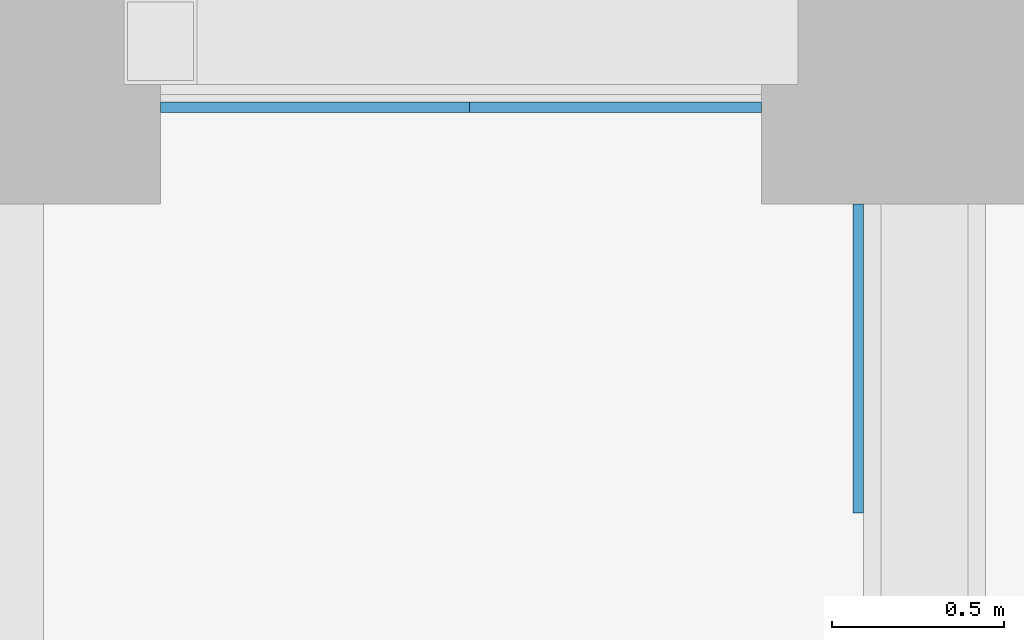
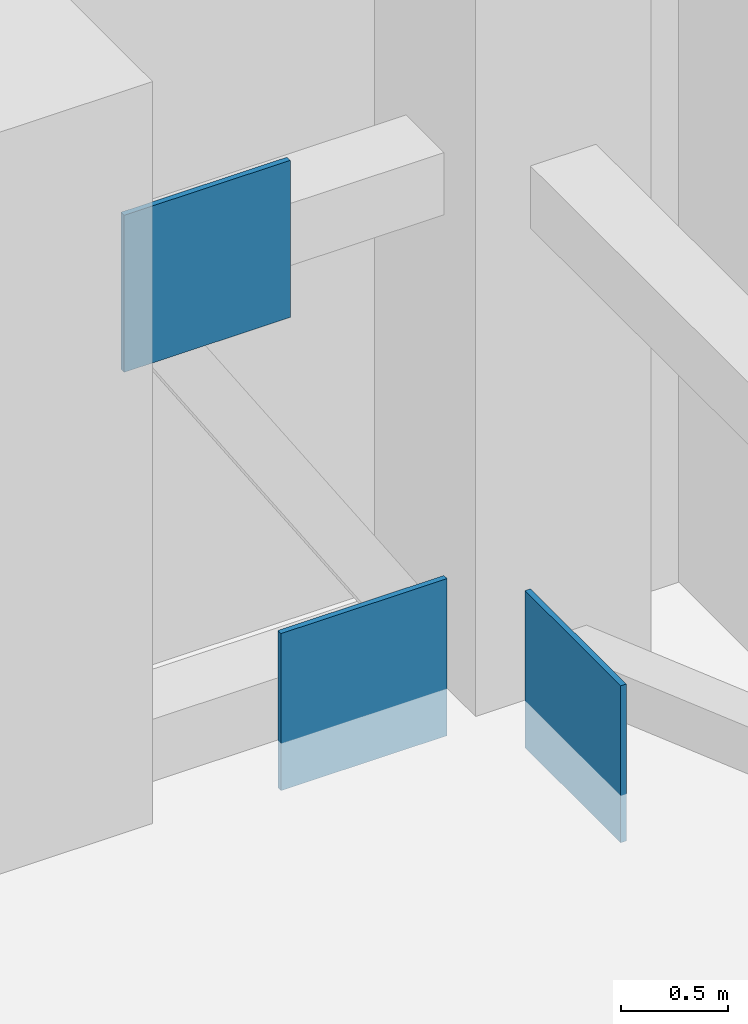
# One storey, part 6 of 8: 3 discrete accessories.
"""IFC4 building model written with IfcOpenShell, lengths in metres."""

import ifcopenshell
import ifcopenshell.guid

model = None  # the IFC model being written
_history = None  # IfcOwnerHistory: only IFC2X3 demands one
_inside = {}  # id of a spatial element -> (the spatial element, [elements in it])
_under = {}  # id of a project, library or spatial element -> (it, [spatial elements below it])
_declared = {}  # id of a project -> (the project, [libraries it declares])
_typed = {}  # id of a type object -> (the type object, [elements of that type])
_made_of = {}  # id of a material, layer set ... -> (it, [elements and type objects made of it])


def new_model(schema):
    """Start an empty IFC model of exactly this schema.

    Asked for "IFC4X3", IfcOpenShell would pick the latest addendum, in which some entities
    have other attributes; the version numbers below select the first issue.
    IFC2X3 requires an IfcOwnerHistory on every rooted entity: one is made here for all.
    """
    global model, _history
    if schema == "IFC4X3":
        model = ifcopenshell.file(schema_version=(4, 3, 0, 0))
    else:
        model = ifcopenshell.file(schema=schema)
    _inside.clear()
    _under.clear()
    _declared.clear()
    _typed.clear()
    _made_of.clear()
    _history = None
    if model.schema == "IFC2X3":
        org = make("IfcOrganization", Name="unknown")
        user = make(
            "IfcPersonAndOrganization",
            ThePerson=make("IfcPerson", FamilyName="unknown"),
            TheOrganization=org,
        )
        app = make(
            "IfcApplication",
            ApplicationDeveloper=org,
            Version="unknown",
            ApplicationFullName="unknown",
            ApplicationIdentifier="unknown",
        )
        _history = make(
            "IfcOwnerHistory",
            OwningUser=user,
            OwningApplication=app,
            ChangeAction="ADDED",
            CreationDate=0,
        )
    return model


def make(cls, **values):
    """One entity of the class cls with the attributes given. An attribute that is None is left unset."""
    return model.create_entity(
        cls, **{name: value for name, value in values.items() if value is not None}
    )


def rooted(cls, **values):
    """An entity with a GlobalId (a new one), such as an element, a storey or a relation."""
    return make(cls, GlobalId=ifcopenshell.guid.new(), OwnerHistory=_history, **values)


def si_unit(unit_type, name, prefix=None):
    """IfcSIUnit, for example si_unit("LENGTHUNIT", "METRE", prefix="MILLI")."""
    return make("IfcSIUnit", UnitType=unit_type, Prefix=prefix, Name=name)


def assignment(units):
    """IfcUnitAssignment: the units of a project."""
    return None if units is None else make("IfcUnitAssignment", Units=units)


def point(xyz):
    """IfcCartesianPoint."""
    return None if xyz is None else make("IfcCartesianPoint", Coordinates=xyz)


def direction(xyz):
    """IfcDirection."""
    return None if xyz is None else make("IfcDirection", DirectionRatios=xyz)


def frame(location, z_axis=None, x_axis=None):
    """IfcAxis2Placement3D, a coordinate frame: its origin and axes. An axis left out is left unset."""
    return make(
        "IfcAxis2Placement3D",
        Location=point(location),
        Axis=direction(z_axis),
        RefDirection=direction(x_axis),
    )


def frame_2d(location, x_axis=None):
    """IfcAxis2Placement2D, a coordinate frame in the plane: its origin and x axis."""
    return make(
        "IfcAxis2Placement2D", Location=point(location), RefDirection=direction(x_axis)
    )


def origin():
    """The frame at (0, 0, 0) with its axes left unset."""
    return frame((0.0, 0.0, 0.0))


def origin_2d():
    """The frame at (0, 0) in the plane with its x axis left unset."""
    return frame_2d((0.0, 0.0))


def place(relative_to, where):
    """IfcLocalPlacement: puts the frame where relative to a parent placement (None: the world)."""
    return make(
        "IfcLocalPlacement", PlacementRelTo=relative_to, RelativePlacement=where
    )


def context(
    kind, dimensions, precision=None, world=None, true_north=None, identifier=None
):
    """IfcGeometricRepresentationContext, for example the 3D "Model" context."""
    return make(
        "IfcGeometricRepresentationContext",
        ContextIdentifier=identifier,
        ContextType=kind,
        CoordinateSpaceDimension=dimensions,
        Precision=precision,
        WorldCoordinateSystem=world,
        TrueNorth=true_north,
    )


def subcontext(parent, identifier, kind, view, scale=None):
    """IfcGeometricRepresentationSubContext, for example "Body" below "Model"."""
    return make(
        "IfcGeometricRepresentationSubContext",
        ContextIdentifier=identifier,
        ContextType=kind,
        ParentContext=parent,
        TargetScale=scale,
        TargetView=view,
    )


def project(units=None, contexts=None):
    """IfcProject with its units and contexts."""
    return rooted(
        "IfcProject",
        Name="project",
        RepresentationContexts=contexts,
        UnitsInContext=assignment(units),
    )


def spatial(cls, under=None, at=None, **own):
    """A site, building, storey or space (cls), placed at a placement, below another one or the project."""
    s = rooted(cls, ObjectPlacement=at, **own)
    if under is not None:
        _under.setdefault(under.id(), (under, []))[1].append(s)
    return s


def profile(cls, at=None, kind="AREA", **sizes):
    """A parametric profile (cls). Its sizes go by their IFC names, for example OverallWidth=200.0."""
    return make(cls, ProfileType=kind, Position=at, **sizes)


def rectangle(**sizes):
    """IfcRectangleProfileDef."""
    return profile("IfcRectangleProfileDef", **sizes)


def extrude(swept, where, along, depth):
    """IfcExtrudedAreaSolid: the profile swept, set in the frame where, extruded along a direction by depth."""
    return make(
        "IfcExtrudedAreaSolid",
        SweptArea=swept,
        Position=where,
        ExtrudedDirection=direction(along),
        Depth=depth,
    )


def shape(context_of_items, identifier, shape_type, items):
    """IfcShapeRepresentation: the items that make up one representation, for example the "Body"."""
    return make(
        "IfcShapeRepresentation",
        ContextOfItems=context_of_items,
        RepresentationIdentifier=identifier,
        RepresentationType=shape_type,
        Items=items,
    )


def material(Name=None, Category=None):
    """IfcMaterial."""
    return make("IfcMaterial", Name=Name, Category=Category)


def made_of(thing, what):
    """Note that an element or type object is made of a material, layer set ...; save() writes the relation."""
    if what is not None:
        _made_of.setdefault(what.id(), (what, []))[1].append(thing)
    return thing


def type_object(cls, material=None, **own):
    """A type object (cls), such as IfcWallType, which elements share."""
    return made_of(rooted(cls, **own), material)


def element(
    cls,
    number,
    at=None,
    inside=None,
    cuts=None,
    type_object=None,
    material=None,
    context=None,
    identifier="Body",
    shape_type=None,
    held_by="IfcProductDefinitionShape",
    body=None,
    shapes=None,
    **own,
):
    """One element of the class cls, such as IfcWall. Its Tag is "e" and its number.

    at: its placement. inside: the storey or other place that contains it. cuts: it is an
    opening in that element (IfcRelVoidsElement). A single representation is given by context,
    identifier, shape_type and body (its items); several are given by shapes. held_by: the class
    of the entity that holds the representations. save() writes the other relations.
    """
    e = rooted(cls, Tag="e%d" % number, ObjectPlacement=at, **own)
    if body is not None:
        shapes = [shape(context, identifier, shape_type, body)]
    if shapes is not None:
        e.Representation = make(held_by, Representations=shapes)
    if inside is not None:
        _inside.setdefault(inside.id(), (inside, []))[1].append(e)
    if cuts is not None:
        rooted(
            "IfcRelVoidsElement", RelatingBuildingElement=cuts, RelatedOpeningElement=e
        )
    if type_object is not None:
        _typed.setdefault(type_object.id(), (type_object, []))[1].append(e)
    return made_of(e, material)


def aggregate(whole, parts):
    """IfcRelAggregates: a whole, such as a stair, and the parts it consists of."""
    return rooted("IfcRelAggregates", RelatingObject=whole, RelatedObjects=parts)


def save(model, path):
    """Write the relations noted so far, then the file.

    IfcRelAggregates (storeys below a building ...), IfcRelContainedInSpatialStructure (elements
    in a storey), IfcRelDefinesByType, IfcRelAssociatesMaterial and IfcRelDeclares: one each for
    every whole, place, type object, material and project.
    """
    for whole, parts in _under.values():
        aggregate(whole, parts)
    for where, things in _inside.values():
        rooted(
            "IfcRelContainedInSpatialStructure",
            RelatedElements=things,
            RelatingStructure=where,
        )
    for kind, things in _typed.values():
        rooted("IfcRelDefinesByType", RelatedObjects=things, RelatingType=kind)
    for what, things in _made_of.values():
        rooted("IfcRelAssociatesMaterial", RelatedObjects=things, RelatingMaterial=what)
    for by, libraries in _declared.values():
        rooted("IfcRelDeclares", RelatingContext=by, RelatedDefinitions=libraries)
    model.write(path)


model = new_model("IFC4")

# Units and contexts
model_context = context("Model", 3, precision=1e-05, world=origin(), true_north=direction((0.0, 1.0)))
body_context = subcontext(model_context, "Body", "Model", "MODEL_VIEW")
ifc_project = project(units=[si_unit("LENGTHUNIT", "METRE"), si_unit("AREAUNIT", "SQUARE_METRE"), si_unit("VOLUMEUNIT", "CUBIC_METRE"), si_unit("PLANEANGLEUNIT", "RADIAN"), si_unit("MASSUNIT", "GRAM", prefix="KILO")], contexts=[model_context])

# Site, building, storey
site_placement = place(None, origin())
site = spatial("IfcSite", under=ifc_project, at=site_placement, CompositionType="ELEMENT")
building_placement = place(site_placement, origin())
building = spatial("IfcBuilding", under=site, at=building_placement, Name="Perihelion Cross Residences", CompositionType="ELEMENT")
storey_placement = place(building_placement, frame((0.0, 0.0, 228.0)))
storey = spatial("IfcBuildingStorey", under=building, at=storey_placement, Name="L57", CompositionType="ELEMENT", Elevation=228.0)

# Discrete accessories
ifc_material = material(Name="Steel S355", Category="steel")
discrete_accessory_type = type_object("IfcDiscreteAccessoryType", Name="Gusset plate 900 x 900 x 30, steel S355", PredefinedType="BRACKET", material=ifc_material)
for number, where, z_axis, x_axis, name in (
    (1, (19.77490234375, 7.906982421875, -0.27197265625), (0.0, 0.0, 1.0), (-1.0, 0.0, 0.0), "Gusset plate 900 x 900 x 30"),
    (2, (18.925048828125, 7.906982421875, 2.422119140625), (0.0, 0.0, 1.0), (1.0, 0.0, 0.0), "Gusset plate 900 x 900 x 30"),
    (3, (20.507080078125, 7.175048828125, -0.27197265625), (0.0, 0.0, 1.0), (0.0, -1.0, 0.0), "Gusset plate 900 x 900 x 30"),
):
    element("IfcDiscreteAccessory", number, at=place(storey_placement, frame(where, z_axis=z_axis, x_axis=x_axis)), inside=storey, type_object=discrete_accessory_type, Name=name, PredefinedType="BRACKET", context=body_context, shape_type="SweptSolid", body=[
        extrude(rectangle(XDim=0.89990234375, YDim=0.030029296875, at=origin_2d()), origin(), (0.0, 0.0, 1.0), 0.89990234375),
    ])

save(model, "model.ifc")
